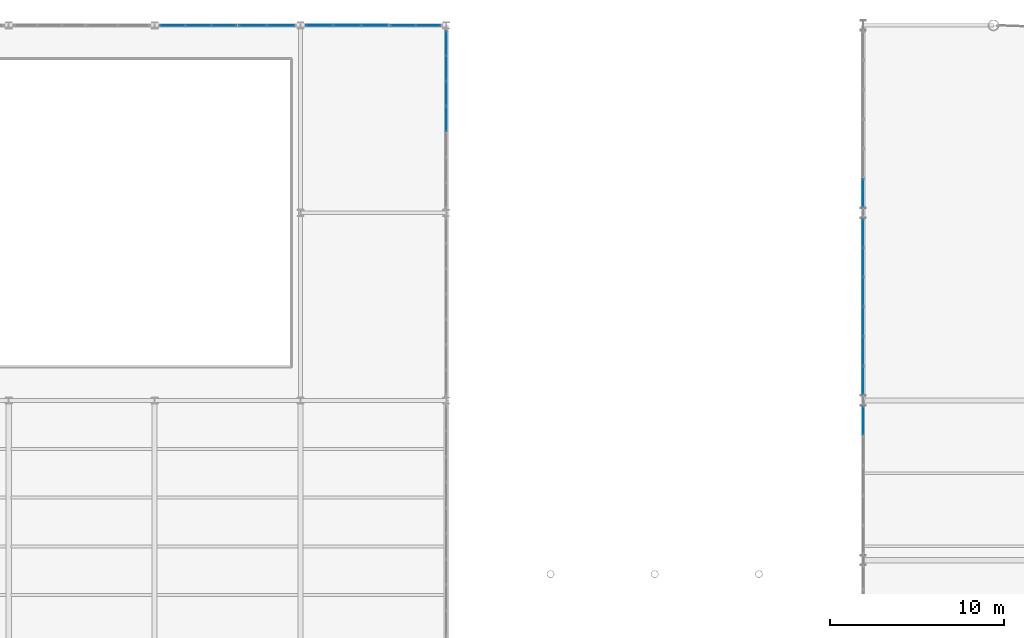
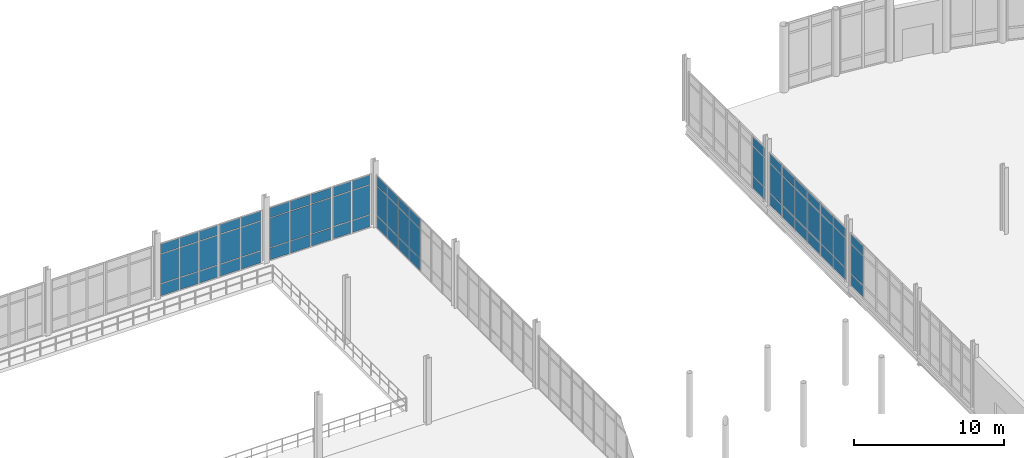
# One storey, part 88 of 111: 66 plates, 8 elements without a shape of their own.
"""IFC4 building model written with IfcOpenShell, lengths in metres."""

from ifc_helpers import new_model, si_unit, direction, frame, origin, origin_2d, place, context, subcontext, project, spatial, rectangle, extrude, material, layer, layer_set, type_object, element, aggregate, save


model = new_model("IFC4")

# Units and contexts
model_context = context("Model", 3, precision=1e-05, world=origin(), true_north=direction((0.0, 1.0)))
body_context = subcontext(model_context, "Body", "Model", "MODEL_VIEW")
ifc_project = project(units=[si_unit("LENGTHUNIT", "METRE"), si_unit("AREAUNIT", "SQUARE_METRE"), si_unit("VOLUMEUNIT", "CUBIC_METRE"), si_unit("PLANEANGLEUNIT", "RADIAN"), si_unit("MASSUNIT", "GRAM", prefix="KILO"), si_unit("THERMODYNAMICTEMPERATUREUNIT", "KELVIN"), si_unit("POWERUNIT", "WATT")], contexts=[model_context])

# Site, building, storey
site_placement = place(None, origin())
site = spatial("IfcSite", under=ifc_project, at=site_placement, CompositionType="ELEMENT")
building_placement = place(site_placement, origin())
building = spatial("IfcBuilding", under=site, at=building_placement, Name="Tembeka Court Mobility Hub", CompositionType="ELEMENT")
storey_placement = place(building_placement, origin())
storey = spatial("IfcBuildingStorey", under=building, at=storey_placement, Name="L00", CompositionType="ELEMENT", Elevation=0.0)

# Curtain wall, plates
ifc_material_1 = material(Name="Anodised aluminium 6063-T6", Category="aluminium")
ifc_layer_1 = layer(ifc_material_1, 0.159912109375)
ifc_layer_set_1 = layer_set([ifc_layer_1], Name="Anodised aluminium 6063-T6")
curtain_wall_type_1 = type_object("IfcCurtainWallType", Name="CW-SYS03", PredefinedType="USERDEFINED", material=ifc_layer_set_1)
curtain_wall_1_placement = place(storey_placement, origin())
curtain_wall_1 = element("IfcCurtainWall", 1, at=curtain_wall_1_placement, inside=storey, type_object=curtain_wall_type_1, Name="Unitised curtain wall CW03 (CW-L00-018)", ObjectType="UNITISED GLAZING", PredefinedType="USERDEFINED")
ifc_material_2 = material(Name="Laminated solar-control low-E glass", Category="glass")
ifc_layer_2 = layer(ifc_material_2, 0.028076171875)
ifc_layer_set_2 = layer_set([ifc_layer_2], Name="Laminated solar-control low-E glass")
plate_type_1 = type_object("IfcPlateType", Name="PL-CW01", PredefinedType="CURTAIN_PANEL", material=ifc_layer_set_2)
plate_1_placement = place(storey_placement, frame((76.644287109375, 118.800048828125, 0.06494140625), z_axis=(0.0, 0.0, 1.0), x_axis=(1.0, 0.0, 0.0)))
plate_1 = element("IfcPlate", 2, at=plate_1_placement, type_object=plate_type_1, Name="CW03 panel 1.1", PredefinedType="CURTAIN_PANEL", context=body_context, shape_type="SweptSolid", body=[
    extrude(rectangle(XDim=1.3984375, YDim=0.028076171875, at=origin_2d()), origin(), (0.0, 0.0, 1.0), 0.952392578125),
])
plate_2_placement = place(storey_placement, frame((76.644287109375, 118.800048828125, 1.08251953125), z_axis=(0.0, 0.0, 1.0), x_axis=(1.0, 0.0, 0.0)))
plate_2 = element("IfcPlate", 3, at=plate_2_placement, type_object=plate_type_1, Name="CW03 panel 1.2", PredefinedType="CURTAIN_PANEL", context=body_context, shape_type="SweptSolid", body=[
    extrude(rectangle(XDim=1.3984375, YDim=0.028076171875, at=origin_2d()), origin(), (0.0, 0.0, 1.0), 2.3701171875),
])
plate_3_placement = place(storey_placement, frame((76.644287109375, 118.800048828125, 3.517578125), z_axis=(0.0, 0.0, 1.0), x_axis=(1.0, 0.0, 0.0)))
plate_3 = element("IfcPlate", 4, at=plate_3_placement, type_object=plate_type_1, Name="CW03 panel 1.3", PredefinedType="CURTAIN_PANEL", context=body_context, shape_type="SweptSolid", body=[
    extrude(rectangle(XDim=1.3984375, YDim=0.028076171875, at=origin_2d()), origin(), (0.0, 0.0, 1.0), 0.75244140625),
])
plate_4_placement = place(storey_placement, frame((78.1240234375, 118.800048828125, 0.06494140625), z_axis=(0.0, 0.0, 1.0), x_axis=(1.0, 0.0, 0.0)))
plate_4 = element("IfcPlate", 5, at=plate_4_placement, type_object=plate_type_1, Name="CW03 panel 2.1", PredefinedType="CURTAIN_PANEL", context=body_context, shape_type="SweptSolid", body=[
    extrude(rectangle(XDim=1.430908203125, YDim=0.028076171875, at=origin_2d()), origin(), (0.0, 0.0, 1.0), 0.952392578125),
])
plate_5_placement = place(storey_placement, frame((78.1240234375, 118.800048828125, 1.08251953125), z_axis=(0.0, 0.0, 1.0), x_axis=(1.0, 0.0, 0.0)))
plate_5 = element("IfcPlate", 6, at=plate_5_placement, type_object=plate_type_1, Name="CW03 panel 2.2", PredefinedType="CURTAIN_PANEL", context=body_context, shape_type="SweptSolid", body=[
    extrude(rectangle(XDim=1.430908203125, YDim=0.028076171875, at=origin_2d()), origin(), (0.0, 0.0, 1.0), 2.3701171875),
])
plate_6_placement = place(storey_placement, frame((78.1240234375, 118.800048828125, 3.517578125), z_axis=(0.0, 0.0, 1.0), x_axis=(1.0, 0.0, 0.0)))
plate_6 = element("IfcPlate", 7, at=plate_6_placement, type_object=plate_type_1, Name="CW03 panel 2.3", PredefinedType="CURTAIN_PANEL", context=body_context, shape_type="SweptSolid", body=[
    extrude(rectangle(XDim=1.430908203125, YDim=0.028076171875, at=origin_2d()), origin(), (0.0, 0.0, 1.0), 0.75244140625),
])
plate_7_placement = place(storey_placement, frame((79.603759765625, 118.800048828125, 0.06494140625), z_axis=(0.0, 0.0, 1.0), x_axis=(1.0, 0.0, 0.0)))
plate_7 = element("IfcPlate", 8, at=plate_7_placement, type_object=plate_type_1, Name="CW03 panel 3.1", PredefinedType="CURTAIN_PANEL", context=body_context, shape_type="SweptSolid", body=[
    extrude(rectangle(XDim=1.3984375, YDim=0.028076171875, at=origin_2d()), origin(), (0.0, 0.0, 1.0), 0.952392578125),
])
plate_8_placement = place(storey_placement, frame((79.603759765625, 118.800048828125, 1.08251953125), z_axis=(0.0, 0.0, 1.0), x_axis=(1.0, 0.0, 0.0)))
plate_8 = element("IfcPlate", 9, at=plate_8_placement, type_object=plate_type_1, Name="CW03 panel 3.2", PredefinedType="CURTAIN_PANEL", context=body_context, shape_type="SweptSolid", body=[
    extrude(rectangle(XDim=1.3984375, YDim=0.028076171875, at=origin_2d()), origin(), (0.0, 0.0, 1.0), 2.3701171875),
])
plate_9_placement = place(storey_placement, frame((79.603759765625, 118.800048828125, 3.517578125), z_axis=(0.0, 0.0, 1.0), x_axis=(1.0, 0.0, 0.0)))
plate_9 = element("IfcPlate", 10, at=plate_9_placement, type_object=plate_type_1, Name="CW03 panel 3.3", PredefinedType="CURTAIN_PANEL", context=body_context, shape_type="SweptSolid", body=[
    extrude(rectangle(XDim=1.3984375, YDim=0.028076171875, at=origin_2d()), origin(), (0.0, 0.0, 1.0), 0.75244140625),
])
aggregate(curtain_wall_1, [plate_1, plate_2, plate_3, plate_4, plate_5, plate_6, plate_7, plate_8, plate_9])

ifc_layer_3 = layer(ifc_material_1, 0.159912109375)
ifc_layer_set_3 = layer_set([ifc_layer_3], Name="Anodised aluminium 6063-T6")
curtain_wall_type_2 = type_object("IfcCurtainWallType", Name="CW-SYS02", PredefinedType="USERDEFINED", material=ifc_layer_set_3)
curtain_wall_2_placement = place(storey_placement, origin())
curtain_wall_2 = element("IfcCurtainWall", 11, at=curtain_wall_2_placement, inside=storey, type_object=curtain_wall_type_2, Name="Unitised curtain wall CW02 (CW-L00-019)", ObjectType="UNITISED GLAZING", PredefinedType="USERDEFINED")
plate_10_placement = place(storey_placement, frame((81.252197265625, 118.800048828125, 0.06494140625), z_axis=(0.0, 0.0, 1.0), x_axis=(1.0, 0.0, 0.0)))
plate_10 = element("IfcPlate", 12, at=plate_10_placement, type_object=plate_type_1, Name="CW02 panel 1.1", PredefinedType="CURTAIN_PANEL", context=body_context, shape_type="SweptSolid", body=[
    extrude(rectangle(XDim=1.55859375, YDim=0.028076171875, at=origin_2d()), origin(), (0.0, 0.0, 1.0), 0.952392578125),
])
plate_11_placement = place(storey_placement, frame((81.252197265625, 118.800048828125, 1.08251953125), z_axis=(0.0, 0.0, 1.0), x_axis=(1.0, 0.0, 0.0)))
plate_11 = element("IfcPlate", 13, at=plate_11_placement, type_object=plate_type_1, Name="CW02 panel 1.2", PredefinedType="CURTAIN_PANEL", context=body_context, shape_type="SweptSolid", body=[
    extrude(rectangle(XDim=1.55859375, YDim=0.028076171875, at=origin_2d()), origin(), (0.0, 0.0, 1.0), 2.3701171875),
])
plate_12_placement = place(storey_placement, frame((81.252197265625, 118.800048828125, 3.517578125), z_axis=(0.0, 0.0, 1.0), x_axis=(1.0, 0.0, 0.0)))
plate_12 = element("IfcPlate", 14, at=plate_12_placement, type_object=plate_type_1, Name="CW02 panel 1.3", PredefinedType="CURTAIN_PANEL", context=body_context, shape_type="SweptSolid", body=[
    extrude(rectangle(XDim=1.55859375, YDim=0.028076171875, at=origin_2d()), origin(), (0.0, 0.0, 1.0), 0.75244140625),
])
plate_13_placement = place(storey_placement, frame((82.875732421875, 118.800048828125, 0.06494140625), z_axis=(0.0, 0.0, 1.0), x_axis=(1.0, 0.0, 0.0)))
plate_13 = element("IfcPlate", 15, at=plate_13_placement, type_object=plate_type_1, Name="CW02 panel 2.1", PredefinedType="CURTAIN_PANEL", context=body_context, shape_type="SweptSolid", body=[
    extrude(rectangle(XDim=1.55859375, YDim=0.028076171875, at=origin_2d()), origin(), (0.0, 0.0, 1.0), 0.952392578125),
])
plate_14_placement = place(storey_placement, frame((82.875732421875, 118.800048828125, 1.08251953125), z_axis=(0.0, 0.0, 1.0), x_axis=(1.0, 0.0, 0.0)))
plate_14 = element("IfcPlate", 16, at=plate_14_placement, type_object=plate_type_1, Name="CW02 panel 2.2", PredefinedType="CURTAIN_PANEL", context=body_context, shape_type="SweptSolid", body=[
    extrude(rectangle(XDim=1.55859375, YDim=0.028076171875, at=origin_2d()), origin(), (0.0, 0.0, 1.0), 2.3701171875),
])
plate_15_placement = place(storey_placement, frame((82.875732421875, 118.800048828125, 3.517578125), z_axis=(0.0, 0.0, 1.0), x_axis=(1.0, 0.0, 0.0)))
plate_15 = element("IfcPlate", 17, at=plate_15_placement, type_object=plate_type_1, Name="CW02 panel 2.3", PredefinedType="CURTAIN_PANEL", context=body_context, shape_type="SweptSolid", body=[
    extrude(rectangle(XDim=1.55859375, YDim=0.028076171875, at=origin_2d()), origin(), (0.0, 0.0, 1.0), 0.75244140625),
])
aggregate(curtain_wall_2, [plate_10, plate_11, plate_12, plate_13, plate_14, plate_15])

ifc_layer_4 = layer(ifc_material_1, 0.159912109375)
ifc_layer_set_4 = layer_set([ifc_layer_4], Name="Anodised aluminium 6063-T6")
curtain_wall_type_3 = type_object("IfcCurtainWallType", Name="CW-SYS17", PredefinedType="USERDEFINED", material=ifc_layer_set_4)
curtain_wall_3_placement = place(storey_placement, origin())
curtain_wall_3 = element("IfcCurtainWall", 18, at=curtain_wall_3_placement, inside=storey, type_object=curtain_wall_type_3, Name="Unitised curtain wall CW17 (CW-L00-021)", ObjectType="UNITISED GLAZING", PredefinedType="USERDEFINED")
plate_16_placement = place(storey_placement, frame((89.904296875, 118.800048828125, 0.06494140625), z_axis=(0.0, 0.0, 1.0), x_axis=(1.0, 0.0, 0.0)))
plate_16 = element("IfcPlate", 19, at=plate_16_placement, type_object=plate_type_1, Name="CW17 panel 1.1", PredefinedType="CURTAIN_PANEL", context=body_context, shape_type="SweptSolid", body=[
    extrude(rectangle(XDim=1.390380859375, YDim=0.028076171875, at=origin_2d()), origin(), (0.0, 0.0, 1.0), 0.952392578125),
])
plate_17_placement = place(storey_placement, frame((89.904296875, 118.800048828125, 1.08251953125), z_axis=(0.0, 0.0, 1.0), x_axis=(1.0, 0.0, 0.0)))
plate_17 = element("IfcPlate", 20, at=plate_17_placement, type_object=plate_type_1, Name="CW17 panel 1.2", PredefinedType="CURTAIN_PANEL", context=body_context, shape_type="SweptSolid", body=[
    extrude(rectangle(XDim=1.390380859375, YDim=0.028076171875, at=origin_2d()), origin(), (0.0, 0.0, 1.0), 2.3701171875),
])
plate_18_placement = place(storey_placement, frame((89.904296875, 118.800048828125, 3.517578125), z_axis=(0.0, 0.0, 1.0), x_axis=(1.0, 0.0, 0.0)))
plate_18 = element("IfcPlate", 21, at=plate_18_placement, type_object=plate_type_1, Name="CW17 panel 1.3", PredefinedType="CURTAIN_PANEL", context=body_context, shape_type="SweptSolid", body=[
    extrude(rectangle(XDim=1.390380859375, YDim=0.028076171875, at=origin_2d()), origin(), (0.0, 0.0, 1.0), 0.75244140625),
])
plate_19_placement = place(storey_placement, frame((91.35986328125, 118.800048828125, 0.06494140625), z_axis=(0.0, 0.0, 1.0), x_axis=(1.0, 0.0, 0.0)))
plate_19 = element("IfcPlate", 22, at=plate_19_placement, type_object=plate_type_1, Name="CW17 panel 2.1", PredefinedType="CURTAIN_PANEL", context=body_context, shape_type="SweptSolid", body=[
    extrude(rectangle(XDim=1.390380859375, YDim=0.028076171875, at=origin_2d()), origin(), (0.0, 0.0, 1.0), 0.952392578125),
])
plate_20_placement = place(storey_placement, frame((91.35986328125, 118.800048828125, 1.08251953125), z_axis=(0.0, 0.0, 1.0), x_axis=(1.0, 0.0, 0.0)))
plate_20 = element("IfcPlate", 23, at=plate_20_placement, type_object=plate_type_1, Name="CW17 panel 2.2", PredefinedType="CURTAIN_PANEL", context=body_context, shape_type="SweptSolid", body=[
    extrude(rectangle(XDim=1.390380859375, YDim=0.028076171875, at=origin_2d()), origin(), (0.0, 0.0, 1.0), 2.3701171875),
])
plate_21_placement = place(storey_placement, frame((91.35986328125, 118.800048828125, 3.517578125), z_axis=(0.0, 0.0, 1.0), x_axis=(1.0, 0.0, 0.0)))
plate_21 = element("IfcPlate", 24, at=plate_21_placement, type_object=plate_type_1, Name="CW17 panel 2.3", PredefinedType="CURTAIN_PANEL", context=body_context, shape_type="SweptSolid", body=[
    extrude(rectangle(XDim=1.390380859375, YDim=0.028076171875, at=origin_2d()), origin(), (0.0, 0.0, 1.0), 0.75244140625),
])
aggregate(curtain_wall_3, [plate_16, plate_17, plate_18, plate_19, plate_20, plate_21])

ifc_layer_5 = layer(ifc_material_1, 0.159912109375)
ifc_layer_set_5 = layer_set([ifc_layer_5], Name="Anodised aluminium 6063-T6")
curtain_wall_type_4 = type_object("IfcCurtainWallType", Name="CW-SYS18", PredefinedType="USERDEFINED", material=ifc_layer_set_5)
curtain_wall_4_placement = place(storey_placement, origin())
curtain_wall_4 = element("IfcCurtainWall", 25, at=curtain_wall_4_placement, inside=storey, type_object=curtain_wall_type_4, Name="Unitised curtain wall CW18 (CW-L00-034)", ObjectType="UNITISED GLAZING", PredefinedType="USERDEFINED")
plate_22_placement = place(storey_placement, frame((92.39990234375, 113.39990234375, 0.06494140625), z_axis=(0.0, 0.0, 1.0), x_axis=(0.0, 1.0, 0.0)))
plate_22 = element("IfcPlate", 26, at=plate_22_placement, type_object=plate_type_1, Name="CW18 panel 4.1", PredefinedType="CURTAIN_PANEL", context=body_context, shape_type="SweptSolid", body=[
    extrude(rectangle(XDim=1.39794921875, YDim=0.028076171875, at=origin_2d()), origin(), (0.0, 0.0, 1.0), 0.952392578125),
])
plate_23_placement = place(storey_placement, frame((92.39990234375, 113.39990234375, 1.08251953125), z_axis=(0.0, 0.0, 1.0), x_axis=(0.0, 1.0, 0.0)))
plate_23 = element("IfcPlate", 27, at=plate_23_placement, type_object=plate_type_1, Name="CW18 panel 4.2", PredefinedType="CURTAIN_PANEL", context=body_context, shape_type="SweptSolid", body=[
    extrude(rectangle(XDim=1.39794921875, YDim=0.028076171875, at=origin_2d()), origin(), (0.0, 0.0, 1.0), 2.3701171875),
])
plate_24_placement = place(storey_placement, frame((92.39990234375, 113.39990234375, 3.517578125), z_axis=(0.0, 0.0, 1.0), x_axis=(0.0, 1.0, 0.0)))
plate_24 = element("IfcPlate", 28, at=plate_24_placement, type_object=plate_type_1, Name="CW18 panel 4.3", PredefinedType="CURTAIN_PANEL", context=body_context, shape_type="SweptSolid", body=[
    extrude(rectangle(XDim=1.39794921875, YDim=0.028076171875, at=origin_2d()), origin(), (0.0, 0.0, 1.0), 0.75244140625),
])
plate_25_placement = place(storey_placement, frame((92.39990234375, 114.86279296875, 0.06494140625), z_axis=(0.0, 0.0, 1.0), x_axis=(0.0, 1.0, 0.0)))
plate_25 = element("IfcPlate", 29, at=plate_25_placement, type_object=plate_type_1, Name="CW18 panel 5.1", PredefinedType="CURTAIN_PANEL", context=body_context, shape_type="SweptSolid", body=[
    extrude(rectangle(XDim=1.39794921875, YDim=0.028076171875, at=origin_2d()), origin(), (0.0, 0.0, 1.0), 0.952392578125),
])
plate_26_placement = place(storey_placement, frame((92.39990234375, 114.86279296875, 1.08251953125), z_axis=(0.0, 0.0, 1.0), x_axis=(0.0, 1.0, 0.0)))
plate_26 = element("IfcPlate", 30, at=plate_26_placement, type_object=plate_type_1, Name="CW18 panel 5.2", PredefinedType="CURTAIN_PANEL", context=body_context, shape_type="SweptSolid", body=[
    extrude(rectangle(XDim=1.39794921875, YDim=0.028076171875, at=origin_2d()), origin(), (0.0, 0.0, 1.0), 2.3701171875),
])
plate_27_placement = place(storey_placement, frame((92.39990234375, 114.86279296875, 3.517578125), z_axis=(0.0, 0.0, 1.0), x_axis=(0.0, 1.0, 0.0)))
plate_27 = element("IfcPlate", 31, at=plate_27_placement, type_object=plate_type_1, Name="CW18 panel 5.3", PredefinedType="CURTAIN_PANEL", context=body_context, shape_type="SweptSolid", body=[
    extrude(rectangle(XDim=1.39794921875, YDim=0.028076171875, at=origin_2d()), origin(), (0.0, 0.0, 1.0), 0.75244140625),
])
plate_28_placement = place(storey_placement, frame((92.39990234375, 116.32568359375, 0.06494140625), z_axis=(0.0, 0.0, 1.0), x_axis=(0.0, 1.0, 0.0)))
plate_28 = element("IfcPlate", 32, at=plate_28_placement, type_object=plate_type_1, Name="CW18 panel 6.1", PredefinedType="CURTAIN_PANEL", context=body_context, shape_type="SweptSolid", body=[
    extrude(rectangle(XDim=1.39794921875, YDim=0.028076171875, at=origin_2d()), origin(), (0.0, 0.0, 1.0), 0.952392578125),
])
plate_29_placement = place(storey_placement, frame((92.39990234375, 116.32568359375, 1.08251953125), z_axis=(0.0, 0.0, 1.0), x_axis=(0.0, 1.0, 0.0)))
plate_29 = element("IfcPlate", 33, at=plate_29_placement, type_object=plate_type_1, Name="CW18 panel 6.2", PredefinedType="CURTAIN_PANEL", context=body_context, shape_type="SweptSolid", body=[
    extrude(rectangle(XDim=1.39794921875, YDim=0.028076171875, at=origin_2d()), origin(), (0.0, 0.0, 1.0), 2.3701171875),
])
plate_30_placement = place(storey_placement, frame((92.39990234375, 116.32568359375, 3.517578125), z_axis=(0.0, 0.0, 1.0), x_axis=(0.0, 1.0, 0.0)))
plate_30 = element("IfcPlate", 34, at=plate_30_placement, type_object=plate_type_1, Name="CW18 panel 6.3", PredefinedType="CURTAIN_PANEL", context=body_context, shape_type="SweptSolid", body=[
    extrude(rectangle(XDim=1.39794921875, YDim=0.028076171875, at=origin_2d()), origin(), (0.0, 0.0, 1.0), 0.75244140625),
])
plate_31_placement = place(storey_placement, frame((92.39990234375, 117.772216796875, 0.06494140625), z_axis=(0.0, 0.0, 1.0), x_axis=(0.0, 1.0, 0.0)))
plate_31 = element("IfcPlate", 35, at=plate_31_placement, type_object=plate_type_1, Name="CW18 panel 7.1", PredefinedType="CURTAIN_PANEL", context=body_context, shape_type="SweptSolid", body=[
    extrude(rectangle(XDim=1.365478515625, YDim=0.028076171875, at=origin_2d()), origin(), (0.0, 0.0, 1.0), 0.952392578125),
])
plate_32_placement = place(storey_placement, frame((92.39990234375, 117.772216796875, 1.08251953125), z_axis=(0.0, 0.0, 1.0), x_axis=(0.0, 1.0, 0.0)))
plate_32 = element("IfcPlate", 36, at=plate_32_placement, type_object=plate_type_1, Name="CW18 panel 7.2", PredefinedType="CURTAIN_PANEL", context=body_context, shape_type="SweptSolid", body=[
    extrude(rectangle(XDim=1.365478515625, YDim=0.028076171875, at=origin_2d()), origin(), (0.0, 0.0, 1.0), 2.3701171875),
])
plate_33_placement = place(storey_placement, frame((92.39990234375, 117.772216796875, 3.517578125), z_axis=(0.0, 0.0, 1.0), x_axis=(0.0, 1.0, 0.0)))
plate_33 = element("IfcPlate", 37, at=plate_33_placement, type_object=plate_type_1, Name="CW18 panel 7.3", PredefinedType="CURTAIN_PANEL", context=body_context, shape_type="SweptSolid", body=[
    extrude(rectangle(XDim=1.365478515625, YDim=0.028076171875, at=origin_2d()), origin(), (0.0, 0.0, 1.0), 0.75244140625),
])
aggregate(curtain_wall_4, [plate_22, plate_23, plate_24, plate_25, plate_26, plate_27, plate_28, plate_29, plate_30, plate_31, plate_32, plate_33])

ifc_layer_6 = layer(ifc_material_1, 0.199951171875)
ifc_layer_set_6 = layer_set([ifc_layer_6], Name="Anodised aluminium 6063-T6")
curtain_wall_type_5 = type_object("IfcCurtainWallType", Name="CW-SYS28", PredefinedType="USERDEFINED", material=ifc_layer_set_6)
curtain_wall_5_placement = place(storey_placement, origin())
curtain_wall_5 = element("IfcCurtainWall", 38, at=curtain_wall_5_placement, inside=storey, type_object=curtain_wall_type_5, Name="Unitised curtain wall CW28 (CW-L00-087)", ObjectType="UNITISED GLAZING", PredefinedType="USERDEFINED")
plate_34_placement = place(storey_placement, frame((116.39990234375, 96.037353515625, 0.074951171875), z_axis=(0.0, 0.0, 1.0), x_axis=(0.0, 1.0, 0.0)))
plate_34 = element("IfcPlate", 39, at=plate_34_placement, type_object=plate_type_1, Name="CW28 panel 5.1", PredefinedType="CURTAIN_PANEL", context=body_context, shape_type="SweptSolid", body=[
    extrude(rectangle(XDim=1.615478515625, YDim=0.028076171875, at=origin_2d()), origin(), (0.0, 0.0, 1.0), 0.9375),
])
plate_35_placement = place(storey_placement, frame((116.39990234375, 96.037353515625, 1.08740234375), z_axis=(0.0, 0.0, 1.0), x_axis=(0.0, 1.0, 0.0)))
plate_35 = element("IfcPlate", 40, at=plate_35_placement, type_object=plate_type_1, Name="CW28 panel 5.2", PredefinedType="CURTAIN_PANEL", context=body_context, shape_type="SweptSolid", body=[
    extrude(rectangle(XDim=1.615478515625, YDim=0.028076171875, at=origin_2d()), origin(), (0.0, 0.0, 1.0), 2.360107421875),
])
plate_36_placement = place(storey_placement, frame((116.39990234375, 96.037353515625, 3.5224609375), z_axis=(0.0, 0.0, 1.0), x_axis=(0.0, 1.0, 0.0)))
plate_36 = element("IfcPlate", 41, at=plate_36_placement, type_object=plate_type_1, Name="CW28 panel 5.3", PredefinedType="CURTAIN_PANEL", context=body_context, shape_type="SweptSolid", body=[
    extrude(rectangle(XDim=1.615478515625, YDim=0.028076171875, at=origin_2d()), origin(), (0.0, 0.0, 1.0), 0.737548828125),
])
aggregate(curtain_wall_5, [plate_34, plate_35, plate_36])

curtain_wall_6_placement = place(storey_placement, origin())
curtain_wall_6 = element("IfcCurtainWall", 42, at=curtain_wall_6_placement, inside=storey, type_object=curtain_wall_type_4, Name="Unitised curtain wall CW18 (CW-L00-089)", ObjectType="UNITISED GLAZING", PredefinedType="USERDEFINED")
plate_37_placement = place(storey_placement, frame((116.39990234375, 98.35205078125, 0.074951171875), z_axis=(0.0, 0.0, 1.0), x_axis=(0.0, 1.0, 0.0)))
plate_37 = element("IfcPlate", 43, at=plate_37_placement, type_object=plate_type_1, Name="CW18 panel 1.1", PredefinedType="CURTAIN_PANEL", context=body_context, shape_type="SweptSolid", body=[
    extrude(rectangle(XDim=1.59423828125, YDim=0.028076171875, at=origin_2d()), origin(), (0.0, 0.0, 1.0), 0.9375),
])
plate_38_placement = place(storey_placement, frame((116.39990234375, 98.35205078125, 1.08740234375), z_axis=(0.0, 0.0, 1.0), x_axis=(0.0, 1.0, 0.0)))
plate_38 = element("IfcPlate", 44, at=plate_38_placement, type_object=plate_type_1, Name="CW18 panel 1.2", PredefinedType="CURTAIN_PANEL", context=body_context, shape_type="SweptSolid", body=[
    extrude(rectangle(XDim=1.59423828125, YDim=0.028076171875, at=origin_2d()), origin(), (0.0, 0.0, 1.0), 2.360107421875),
])
plate_39_placement = place(storey_placement, frame((116.39990234375, 98.35205078125, 3.5224609375), z_axis=(0.0, 0.0, 1.0), x_axis=(0.0, 1.0, 0.0)))
plate_39 = element("IfcPlate", 45, at=plate_39_placement, type_object=plate_type_1, Name="CW18 panel 1.3", PredefinedType="CURTAIN_PANEL", context=body_context, shape_type="SweptSolid", body=[
    extrude(rectangle(XDim=1.59423828125, YDim=0.028076171875, at=origin_2d()), origin(), (0.0, 0.0, 1.0), 0.737548828125),
])
plate_40_placement = place(storey_placement, frame((116.39990234375, 100.0400390625, 0.074951171875), z_axis=(0.0, 0.0, 1.0), x_axis=(0.0, 1.0, 0.0)))
plate_40 = element("IfcPlate", 46, at=plate_40_placement, type_object=plate_type_1, Name="CW18 panel 2.1", PredefinedType="CURTAIN_PANEL", context=body_context, shape_type="SweptSolid", body=[
    extrude(rectangle(XDim=1.631591796875, YDim=0.028076171875, at=origin_2d()), origin(), (0.0, 0.0, 1.0), 0.9375),
])
plate_41_placement = place(storey_placement, frame((116.39990234375, 100.0400390625, 1.08740234375), z_axis=(0.0, 0.0, 1.0), x_axis=(0.0, 1.0, 0.0)))
plate_41 = element("IfcPlate", 47, at=plate_41_placement, type_object=plate_type_1, Name="CW18 panel 2.2", PredefinedType="CURTAIN_PANEL", context=body_context, shape_type="SweptSolid", body=[
    extrude(rectangle(XDim=1.631591796875, YDim=0.028076171875, at=origin_2d()), origin(), (0.0, 0.0, 1.0), 2.360107421875),
])
plate_42_placement = place(storey_placement, frame((116.39990234375, 100.0400390625, 3.5224609375), z_axis=(0.0, 0.0, 1.0), x_axis=(0.0, 1.0, 0.0)))
plate_42 = element("IfcPlate", 48, at=plate_42_placement, type_object=plate_type_1, Name="CW18 panel 2.3", PredefinedType="CURTAIN_PANEL", context=body_context, shape_type="SweptSolid", body=[
    extrude(rectangle(XDim=1.631591796875, YDim=0.028076171875, at=origin_2d()), origin(), (0.0, 0.0, 1.0), 0.737548828125),
])
plate_43_placement = place(storey_placement, frame((116.39990234375, 101.74658203125, 0.074951171875), z_axis=(0.0, 0.0, 1.0), x_axis=(0.0, 1.0, 0.0)))
plate_43 = element("IfcPlate", 49, at=plate_43_placement, type_object=plate_type_1, Name="CW18 panel 3.1", PredefinedType="CURTAIN_PANEL", context=body_context, shape_type="SweptSolid", body=[
    extrude(rectangle(XDim=1.631591796875, YDim=0.028076171875, at=origin_2d()), origin(), (0.0, 0.0, 1.0), 0.9375),
])
plate_44_placement = place(storey_placement, frame((116.39990234375, 101.74658203125, 1.08740234375), z_axis=(0.0, 0.0, 1.0), x_axis=(0.0, 1.0, 0.0)))
plate_44 = element("IfcPlate", 50, at=plate_44_placement, type_object=plate_type_1, Name="CW18 panel 3.2", PredefinedType="CURTAIN_PANEL", context=body_context, shape_type="SweptSolid", body=[
    extrude(rectangle(XDim=1.631591796875, YDim=0.028076171875, at=origin_2d()), origin(), (0.0, 0.0, 1.0), 2.360107421875),
])
plate_45_placement = place(storey_placement, frame((116.39990234375, 101.74658203125, 3.5224609375), z_axis=(0.0, 0.0, 1.0), x_axis=(0.0, 1.0, 0.0)))
plate_45 = element("IfcPlate", 51, at=plate_45_placement, type_object=plate_type_1, Name="CW18 panel 3.3", PredefinedType="CURTAIN_PANEL", context=body_context, shape_type="SweptSolid", body=[
    extrude(rectangle(XDim=1.631591796875, YDim=0.028076171875, at=origin_2d()), origin(), (0.0, 0.0, 1.0), 0.737548828125),
])
plate_46_placement = place(storey_placement, frame((116.39990234375, 103.453369140625, 0.074951171875), z_axis=(0.0, 0.0, 1.0), x_axis=(0.0, 1.0, 0.0)))
plate_46 = element("IfcPlate", 52, at=plate_46_placement, type_object=plate_type_1, Name="CW18 panel 4.1", PredefinedType="CURTAIN_PANEL", context=body_context, shape_type="SweptSolid", body=[
    extrude(rectangle(XDim=1.631591796875, YDim=0.028076171875, at=origin_2d()), origin(), (0.0, 0.0, 1.0), 0.9375),
])
plate_47_placement = place(storey_placement, frame((116.39990234375, 103.453369140625, 1.08740234375), z_axis=(0.0, 0.0, 1.0), x_axis=(0.0, 1.0, 0.0)))
plate_47 = element("IfcPlate", 53, at=plate_47_placement, type_object=plate_type_1, Name="CW18 panel 4.2", PredefinedType="CURTAIN_PANEL", context=body_context, shape_type="SweptSolid", body=[
    extrude(rectangle(XDim=1.631591796875, YDim=0.028076171875, at=origin_2d()), origin(), (0.0, 0.0, 1.0), 2.360107421875),
])
plate_48_placement = place(storey_placement, frame((116.39990234375, 103.453369140625, 3.5224609375), z_axis=(0.0, 0.0, 1.0), x_axis=(0.0, 1.0, 0.0)))
plate_48 = element("IfcPlate", 54, at=plate_48_placement, type_object=plate_type_1, Name="CW18 panel 4.3", PredefinedType="CURTAIN_PANEL", context=body_context, shape_type="SweptSolid", body=[
    extrude(rectangle(XDim=1.631591796875, YDim=0.028076171875, at=origin_2d()), origin(), (0.0, 0.0, 1.0), 0.737548828125),
])
plate_49_placement = place(storey_placement, frame((116.39990234375, 105.159912109375, 0.074951171875), z_axis=(0.0, 0.0, 1.0), x_axis=(0.0, 1.0, 0.0)))
plate_49 = element("IfcPlate", 55, at=plate_49_placement, type_object=plate_type_1, Name="CW18 panel 5.1", PredefinedType="CURTAIN_PANEL", context=body_context, shape_type="SweptSolid", body=[
    extrude(rectangle(XDim=1.631591796875, YDim=0.028076171875, at=origin_2d()), origin(), (0.0, 0.0, 1.0), 0.9375),
])
plate_50_placement = place(storey_placement, frame((116.39990234375, 105.159912109375, 1.08740234375), z_axis=(0.0, 0.0, 1.0), x_axis=(0.0, 1.0, 0.0)))
plate_50 = element("IfcPlate", 56, at=plate_50_placement, type_object=plate_type_1, Name="CW18 panel 5.2", PredefinedType="CURTAIN_PANEL", context=body_context, shape_type="SweptSolid", body=[
    extrude(rectangle(XDim=1.631591796875, YDim=0.028076171875, at=origin_2d()), origin(), (0.0, 0.0, 1.0), 2.360107421875),
])
plate_51_placement = place(storey_placement, frame((116.39990234375, 105.159912109375, 3.5224609375), z_axis=(0.0, 0.0, 1.0), x_axis=(0.0, 1.0, 0.0)))
plate_51 = element("IfcPlate", 57, at=plate_51_placement, type_object=plate_type_1, Name="CW18 panel 5.3", PredefinedType="CURTAIN_PANEL", context=body_context, shape_type="SweptSolid", body=[
    extrude(rectangle(XDim=1.631591796875, YDim=0.028076171875, at=origin_2d()), origin(), (0.0, 0.0, 1.0), 0.737548828125),
])
plate_52_placement = place(storey_placement, frame((116.39990234375, 106.847900390625, 0.074951171875), z_axis=(0.0, 0.0, 1.0), x_axis=(0.0, 1.0, 0.0)))
plate_52 = element("IfcPlate", 58, at=plate_52_placement, type_object=plate_type_1, Name="CW18 panel 6.1", PredefinedType="CURTAIN_PANEL", context=body_context, shape_type="SweptSolid", body=[
    extrude(rectangle(XDim=1.59423828125, YDim=0.028076171875, at=origin_2d()), origin(), (0.0, 0.0, 1.0), 0.9375),
])
plate_53_placement = place(storey_placement, frame((116.39990234375, 106.847900390625, 1.08740234375), z_axis=(0.0, 0.0, 1.0), x_axis=(0.0, 1.0, 0.0)))
plate_53 = element("IfcPlate", 59, at=plate_53_placement, type_object=plate_type_1, Name="CW18 panel 6.2", PredefinedType="CURTAIN_PANEL", context=body_context, shape_type="SweptSolid", body=[
    extrude(rectangle(XDim=1.59423828125, YDim=0.028076171875, at=origin_2d()), origin(), (0.0, 0.0, 1.0), 2.360107421875),
])
plate_54_placement = place(storey_placement, frame((116.39990234375, 106.847900390625, 3.5224609375), z_axis=(0.0, 0.0, 1.0), x_axis=(0.0, 1.0, 0.0)))
plate_54 = element("IfcPlate", 60, at=plate_54_placement, type_object=plate_type_1, Name="CW18 panel 6.3", PredefinedType="CURTAIN_PANEL", context=body_context, shape_type="SweptSolid", body=[
    extrude(rectangle(XDim=1.59423828125, YDim=0.028076171875, at=origin_2d()), origin(), (0.0, 0.0, 1.0), 0.737548828125),
])
aggregate(curtain_wall_6, [plate_37, plate_38, plate_39, plate_40, plate_41, plate_42, plate_43, plate_44, plate_45, plate_46, plate_47, plate_48, plate_49, plate_50, plate_51, plate_52, plate_53, plate_54])

curtain_wall_7_placement = place(storey_placement, origin())
curtain_wall_7 = element("IfcCurtainWall", 61, at=curtain_wall_7_placement, inside=storey, type_object=curtain_wall_type_4, Name="Unitised curtain wall CW18 (CW-L00-091)", ObjectType="UNITISED GLAZING", PredefinedType="USERDEFINED")
plate_55_placement = place(storey_placement, frame((116.39990234375, 109.152099609375, 0.074951171875), z_axis=(0.0, 0.0, 1.0), x_axis=(0.0, 1.0, 0.0)))
plate_55 = element("IfcPlate", 62, at=plate_55_placement, type_object=plate_type_1, Name="CW18 panel 1.1", PredefinedType="CURTAIN_PANEL", context=body_context, shape_type="SweptSolid", body=[
    extrude(rectangle(XDim=1.59423828125, YDim=0.028076171875, at=origin_2d()), origin(), (0.0, 0.0, 1.0), 0.9375),
])
plate_56_placement = place(storey_placement, frame((116.39990234375, 109.152099609375, 1.08740234375), z_axis=(0.0, 0.0, 1.0), x_axis=(0.0, 1.0, 0.0)))
plate_56 = element("IfcPlate", 63, at=plate_56_placement, type_object=plate_type_1, Name="CW18 panel 1.2", PredefinedType="CURTAIN_PANEL", context=body_context, shape_type="SweptSolid", body=[
    extrude(rectangle(XDim=1.59423828125, YDim=0.028076171875, at=origin_2d()), origin(), (0.0, 0.0, 1.0), 2.360107421875),
])
plate_57_placement = place(storey_placement, frame((116.39990234375, 109.152099609375, 3.5224609375), z_axis=(0.0, 0.0, 1.0), x_axis=(0.0, 1.0, 0.0)))
plate_57 = element("IfcPlate", 64, at=plate_57_placement, type_object=plate_type_1, Name="CW18 panel 1.3", PredefinedType="CURTAIN_PANEL", context=body_context, shape_type="SweptSolid", body=[
    extrude(rectangle(XDim=1.59423828125, YDim=0.028076171875, at=origin_2d()), origin(), (0.0, 0.0, 1.0), 0.737548828125),
])
aggregate(curtain_wall_7, [plate_55, plate_56, plate_57])

ifc_layer_7 = layer(ifc_material_1, 0.159912109375)
ifc_layer_set_7 = layer_set([ifc_layer_7], Name="Anodised aluminium 6063-T6")
curtain_wall_type_6 = type_object("IfcCurtainWallType", Name="CW-SYS16", PredefinedType="USERDEFINED", material=ifc_layer_set_7)
curtain_wall_8_placement = place(storey_placement, origin())
curtain_wall_8 = element("IfcCurtainWall", 65, at=curtain_wall_8_placement, inside=storey, type_object=curtain_wall_type_6, Name="Unitised curtain wall CW16 (CW-L00-020)", ObjectType="UNITISED GLAZING", PredefinedType="USERDEFINED")
ifc_material_3 = material(Name="Insulated aluminium spandrel panel", Category="aluminium")
ifc_layer_8 = layer(ifc_material_3, 0.052001953125)
ifc_layer_set_8 = layer_set([ifc_layer_8], Name="Insulated aluminium spandrel panel")
plate_type_2 = type_object("IfcPlateType", Name="PL-CW02", PredefinedType="CURTAIN_PANEL", material=ifc_layer_set_8)
plate_58_placement = place(storey_placement, frame((85.100341796875, 118.800048828125, 0.06494140625), z_axis=(0.0, 0.0, 1.0), x_axis=(1.0, 0.0, 0.0)))
plate_58 = element("IfcPlate", 66, at=plate_58_placement, type_object=plate_type_2, Name="CW16 panel 1.1", PredefinedType="CURTAIN_PANEL", context=body_context, shape_type="SweptSolid", body=[
    extrude(rectangle(XDim=1.510498046875, YDim=0.052001953125, at=origin_2d()), origin(), (0.0, 0.0, 1.0), 0.952392578125),
])
plate_59_placement = place(storey_placement, frame((85.100341796875, 118.800048828125, 1.08251953125), z_axis=(0.0, 0.0, 1.0), x_axis=(1.0, 0.0, 0.0)))
plate_59 = element("IfcPlate", 67, at=plate_59_placement, type_object=plate_type_2, Name="CW16 panel 1.2", PredefinedType="CURTAIN_PANEL", context=body_context, shape_type="SweptSolid", body=[
    extrude(rectangle(XDim=1.510498046875, YDim=0.052001953125, at=origin_2d()), origin(), (0.0, 0.0, 1.0), 2.3701171875),
])
plate_60_placement = place(storey_placement, frame((85.100341796875, 118.800048828125, 3.517578125), z_axis=(0.0, 0.0, 1.0), x_axis=(1.0, 0.0, 0.0)))
plate_60 = element("IfcPlate", 68, at=plate_60_placement, type_object=plate_type_2, Name="CW16 panel 1.3", PredefinedType="CURTAIN_PANEL", context=body_context, shape_type="SweptSolid", body=[
    extrude(rectangle(XDim=1.510498046875, YDim=0.052001953125, at=origin_2d()), origin(), (0.0, 0.0, 1.0), 0.75244140625),
])
plate_61_placement = place(storey_placement, frame((86.69189453125, 118.800048828125, 0.06494140625), z_axis=(0.0, 0.0, 1.0), x_axis=(1.0, 0.0, 0.0)))
plate_61 = element("IfcPlate", 69, at=plate_61_placement, type_object=plate_type_2, Name="CW16 panel 2.1", PredefinedType="CURTAIN_PANEL", context=body_context, shape_type="SweptSolid", body=[
    extrude(rectangle(XDim=1.54296875, YDim=0.052001953125, at=origin_2d()), origin(), (0.0, 0.0, 1.0), 0.952392578125),
])
plate_62_placement = place(storey_placement, frame((86.69189453125, 118.800048828125, 1.08251953125), z_axis=(0.0, 0.0, 1.0), x_axis=(1.0, 0.0, 0.0)))
plate_62 = element("IfcPlate", 70, at=plate_62_placement, type_object=plate_type_2, Name="CW16 panel 2.2", PredefinedType="CURTAIN_PANEL", context=body_context, shape_type="SweptSolid", body=[
    extrude(rectangle(XDim=1.54296875, YDim=0.052001953125, at=origin_2d()), origin(), (0.0, 0.0, 1.0), 2.3701171875),
])
plate_63_placement = place(storey_placement, frame((86.69189453125, 118.800048828125, 3.517578125), z_axis=(0.0, 0.0, 1.0), x_axis=(1.0, 0.0, 0.0)))
plate_63 = element("IfcPlate", 71, at=plate_63_placement, type_object=plate_type_2, Name="CW16 panel 2.3", PredefinedType="CURTAIN_PANEL", context=body_context, shape_type="SweptSolid", body=[
    extrude(rectangle(XDim=1.54296875, YDim=0.052001953125, at=origin_2d()), origin(), (0.0, 0.0, 1.0), 0.75244140625),
])
plate_64_placement = place(storey_placement, frame((88.28369140625, 118.800048828125, 0.06494140625), z_axis=(0.0, 0.0, 1.0), x_axis=(1.0, 0.0, 0.0)))
plate_64 = element("IfcPlate", 72, at=plate_64_placement, type_object=plate_type_2, Name="CW16 panel 3.1", PredefinedType="CURTAIN_PANEL", context=body_context, shape_type="SweptSolid", body=[
    extrude(rectangle(XDim=1.510498046875, YDim=0.052001953125, at=origin_2d()), origin(), (0.0, 0.0, 1.0), 0.952392578125),
])
plate_65_placement = place(storey_placement, frame((88.28369140625, 118.800048828125, 1.08251953125), z_axis=(0.0, 0.0, 1.0), x_axis=(1.0, 0.0, 0.0)))
plate_65 = element("IfcPlate", 73, at=plate_65_placement, type_object=plate_type_2, Name="CW16 panel 3.2", PredefinedType="CURTAIN_PANEL", context=body_context, shape_type="SweptSolid", body=[
    extrude(rectangle(XDim=1.510498046875, YDim=0.052001953125, at=origin_2d()), origin(), (0.0, 0.0, 1.0), 2.3701171875),
])
plate_66_placement = place(storey_placement, frame((88.28369140625, 118.800048828125, 3.517578125), z_axis=(0.0, 0.0, 1.0), x_axis=(1.0, 0.0, 0.0)))
plate_66 = element("IfcPlate", 74, at=plate_66_placement, type_object=plate_type_2, Name="CW16 panel 3.3", PredefinedType="CURTAIN_PANEL", context=body_context, shape_type="SweptSolid", body=[
    extrude(rectangle(XDim=1.510498046875, YDim=0.052001953125, at=origin_2d()), origin(), (0.0, 0.0, 1.0), 0.75244140625),
])
aggregate(curtain_wall_8, [plate_58, plate_59, plate_60, plate_61, plate_62, plate_63, plate_64, plate_65, plate_66])

save(model, "model.ifc")
